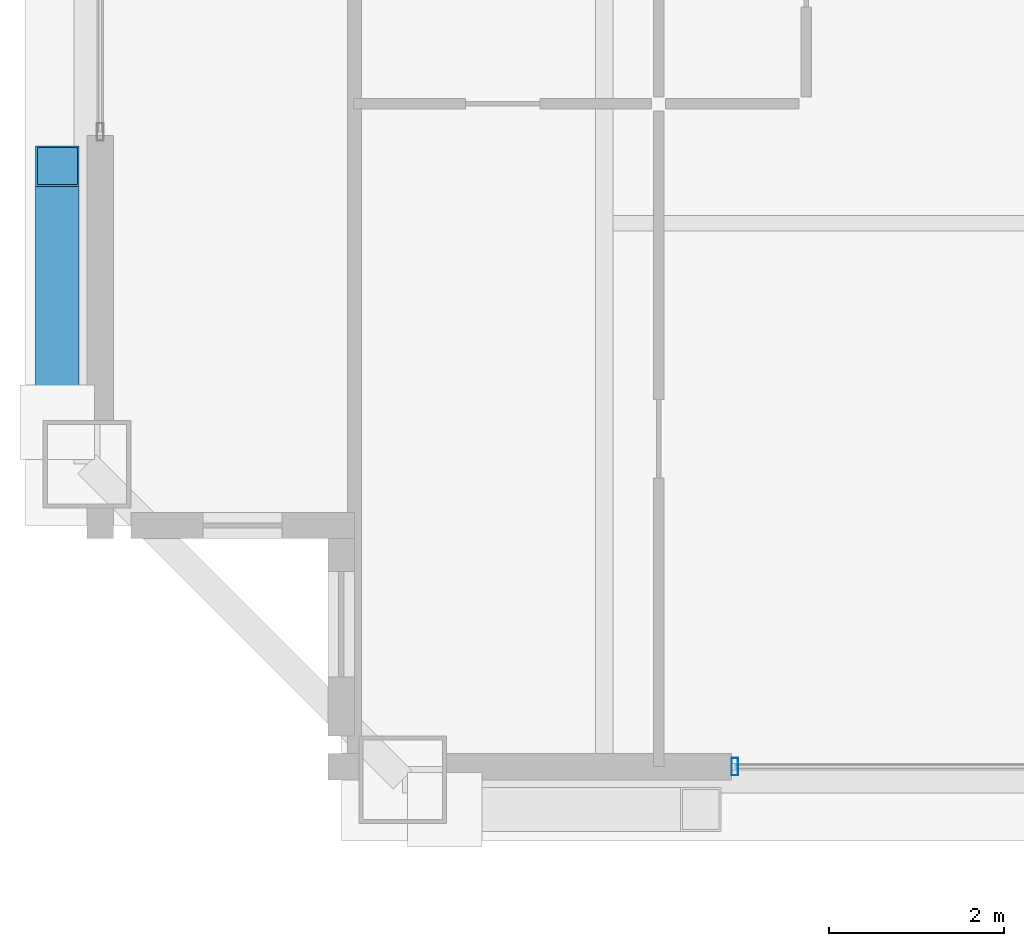
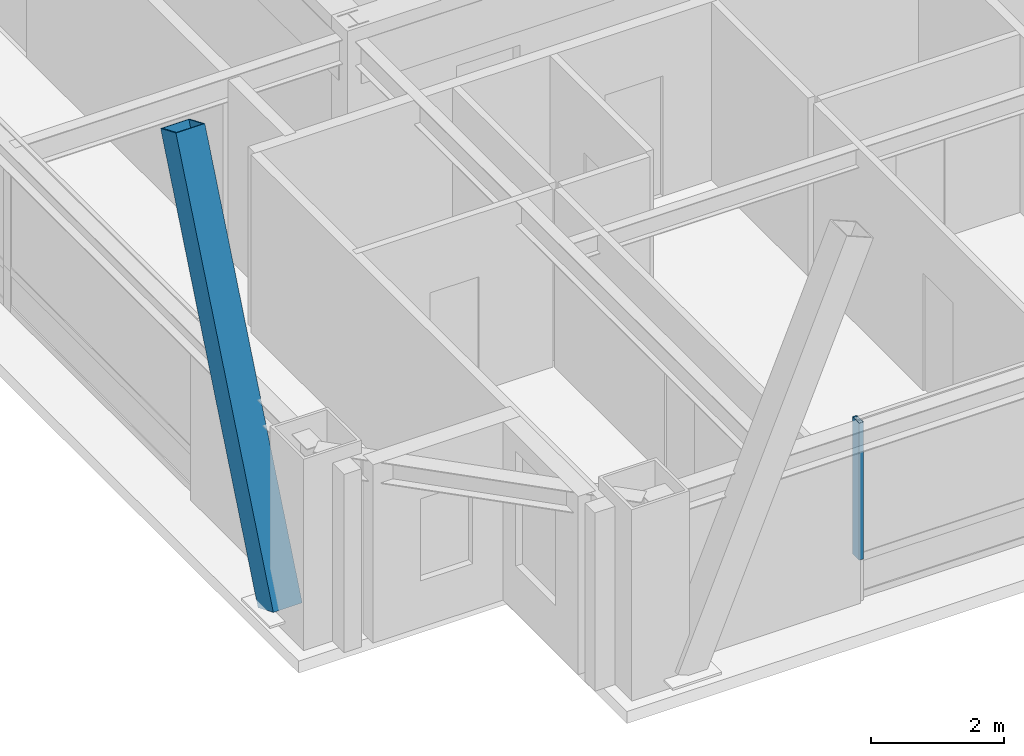
# One storey, part 4 of 35: 2 members, 1 element without a shape of its own.
"""IFC4 building model written with IfcOpenShell, lengths in metres."""

from ifc_helpers import new_model, si_unit, direction, frame, origin, origin_2d, place, context, subcontext, project, spatial, hollow_rectangle, extrude, source, transform, mapped, material, layer, layer_set, material_profile, profile_set, type_object, element, aggregate, save


model = new_model("IFC4")

# Units and contexts
model_context = context("Model", 3, precision=1e-05, world=origin(), true_north=direction((0.0, 1.0)))
body_context = subcontext(model_context, "Body", "Model", "MODEL_VIEW")
ifc_project = project(units=[si_unit("LENGTHUNIT", "METRE"), si_unit("AREAUNIT", "SQUARE_METRE"), si_unit("VOLUMEUNIT", "CUBIC_METRE"), si_unit("PLANEANGLEUNIT", "RADIAN"), si_unit("MASSUNIT", "GRAM", prefix="KILO"), si_unit("THERMODYNAMICTEMPERATUREUNIT", "KELVIN"), si_unit("POWERUNIT", "WATT")], contexts=[model_context])

# Site, building, storey
site_placement = place(None, origin())
site = spatial("IfcSite", under=ifc_project, at=site_placement, CompositionType="ELEMENT")
building_placement = place(site_placement, origin())
building = spatial("IfcBuilding", under=site, at=building_placement, Name="Yuzanri Waterfront Tower", CompositionType="ELEMENT")
storey_placement = place(building_placement, frame((0.0, 0.0, 335.699951171875)))
storey = spatial("IfcBuildingStorey", under=building, at=storey_placement, Name="L90", CompositionType="ELEMENT", Elevation=335.699951171875)

# Member
ifc_material_1 = material(Name="Steel Q390GJC", Category="steel")
ifc_material_profile_1 = material_profile(ifc_material_1, hollow_rectangle(XDim=0.5, YDim=0.5, WallThickness=0.02197265625, at=origin_2d()), Name="RHS 500x500x22")
ifc_profile_set_1 = profile_set([ifc_material_profile_1], Name="Steel Q390GJC")
member_type_1 = type_object("IfcMemberType", Name="Mega Brace Upper Q390GJC RHS 500x500x22", PredefinedType="BRACE", material=ifc_profile_set_1)
shared_shape_1 = source(origin(), body_context, "Body", "SweptSolid", [
    extrude(hollow_rectangle(XDim=0.5, YDim=0.5, WallThickness=0.02197265625, at=origin_2d()), origin(), (0.0, 0.0, 1.0), 7.58447265625),
])
member_1_placement = place(storey_placement, frame((17.56005859375, 10.780029296875, 0.179931640625), z_axis=(0.0, 0.384981052529, 0.92292447643), x_axis=(-1.0, 0.0, 0.0)))
element("IfcMember", 1, at=member_1_placement, inside=storey, type_object=member_type_1, Name="L90-L91 Perimeter Mega-Brace W-L", PredefinedType="BRACE", context=body_context, shape_type="MappedRepresentation", body=[
    mapped(shared_shape_1, transform((0.0, 0.0, 0.0), scale=1.0)),
])

# Curtain wall, member
ifc_material_2 = material(Name="Anodized Architectural Bronze", Category="metal")
ifc_layer = layer(ifc_material_2, 0.159912109375)
ifc_layer_set = layer_set([ifc_layer], Name="Anodized Architectural Bronze")
curtain_wall_type = type_object("IfcCurtainWallType", Name="Anodized Bronze High-Rise Penthouse High-Wind Unitized Curtain Wall 6900", PredefinedType="NOTDEFINED", material=ifc_layer_set)
curtain_wall_placement = place(storey_placement, origin())
curtain_wall = element("IfcCurtainWall", 2, at=curtain_wall_placement, inside=storey, type_object=curtain_wall_type, Name="L90 Curtain Wall CW-L90-SL1", PredefinedType="NOTDEFINED")
ifc_material_3 = material(Name="Anodized Architectural Bronze", Category="metal")
ifc_material_profile_2 = material_profile(ifc_material_3, hollow_rectangle(XDim=0.074951171875, YDim=0.199951171875, WallThickness=0.00390625, at=origin_2d()), Name="CWM 75x200")
ifc_profile_set_2 = profile_set([ifc_material_profile_2], Name="Anodized Architectural Bronze")
member_type_2 = type_object("IfcMemberType", Name="Anodized Bronze Primary Curtain-Wall Mullion 75x200", PredefinedType="MULLION", material=ifc_profile_set_2)
shared_shape_2 = source(origin(), body_context, "Body", "SweptSolid", [
    extrude(hollow_rectangle(XDim=0.074951171875, YDim=0.199951171875, WallThickness=0.00390625, at=origin_2d()), origin(), (0.0, 0.0, 1.0), 2.508056640625),
])
member_2_placement = place(storey_placement, frame((25.2900390625, 6.85009765625, 0.751953125), z_axis=(0.0, 0.0, 1.0), x_axis=(1.0, 0.0, 0.0)))
member_2 = element("IfcMember", 3, at=member_2_placement, type_object=member_type_2, Name="CW-L90-SL1 Upper Mullion 00", PredefinedType="MULLION", context=body_context, shape_type="MappedRepresentation", body=[
    mapped(shared_shape_2, transform((0.0, 0.0, 0.0), scale=1.0)),
])
aggregate(curtain_wall, [member_2])

save(model, "model.ifc")
